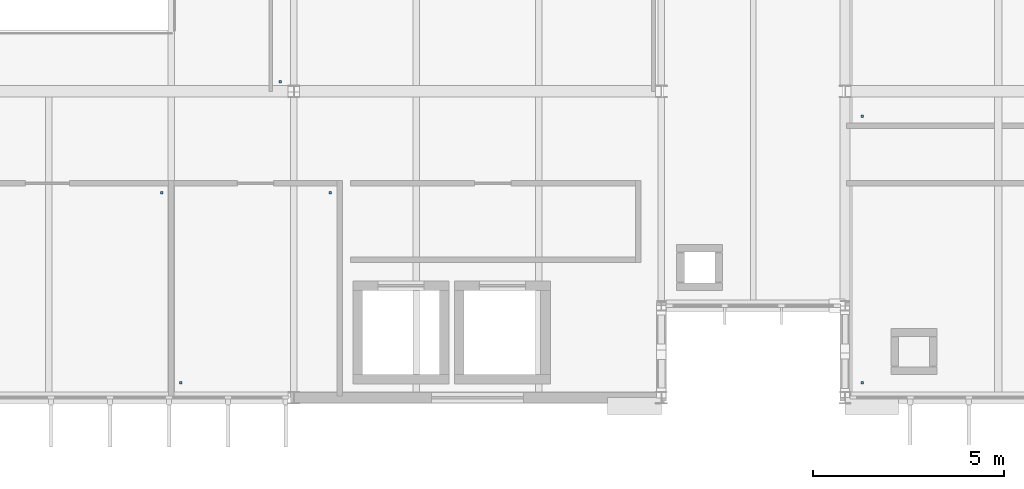
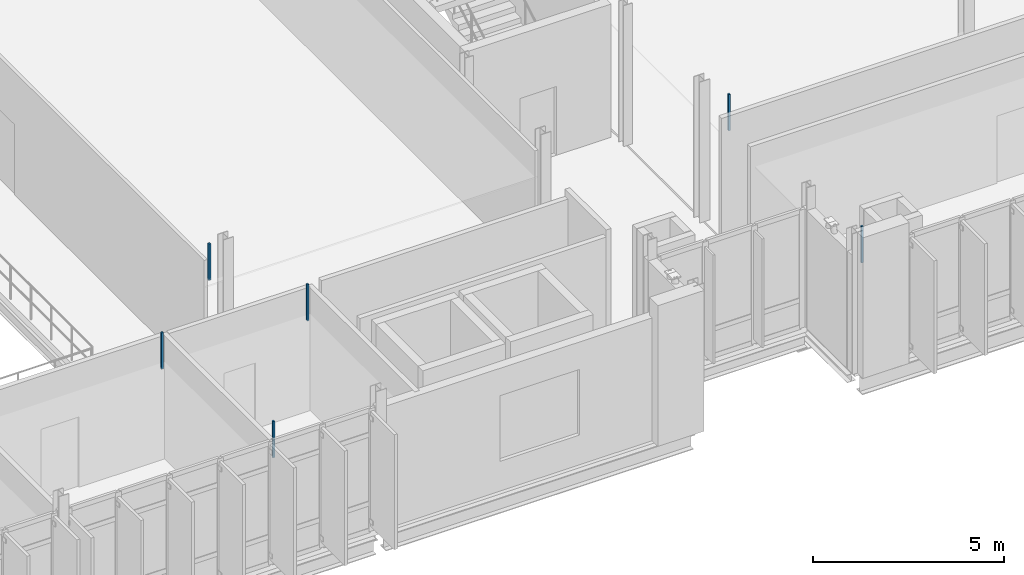
# One storey, part 79 of 110: 6 discrete accessories.
"""IFC4 building model written with IfcOpenShell, lengths in metres."""

from ifc_helpers import new_model, si_unit, direction, frame, origin, place, context, subcontext, project, spatial, polyline, outline, extrude, material, type_object, element, save


model = new_model("IFC4")

# Units and contexts
model_context = context("Model", 3, precision=1e-05, world=origin(), true_north=direction((0.0, 1.0)))
body_context = subcontext(model_context, "Body", "Model", "MODEL_VIEW")
ifc_project = project(units=[si_unit("LENGTHUNIT", "METRE"), si_unit("AREAUNIT", "SQUARE_METRE"), si_unit("VOLUMEUNIT", "CUBIC_METRE"), si_unit("PLANEANGLEUNIT", "RADIAN"), si_unit("MASSUNIT", "GRAM", prefix="KILO")], contexts=[model_context])

# Site, building, storey
site_placement = place(None, origin())
site = spatial("IfcSite", under=ifc_project, at=site_placement, CompositionType="ELEMENT")
building_placement = place(site_placement, origin())
building = spatial("IfcBuilding", under=site, at=building_placement, Name="Dunescarp Central Library", CompositionType="ELEMENT")
storey_placement = place(building_placement, frame((0.0, 0.0, 9.60009765625)))
storey = spatial("IfcBuildingStorey", under=building, at=storey_placement, Name="L02", CompositionType="ELEMENT", Elevation=9.60009765625)

# Discrete accessories
ifc_material = material(Name="Stainless steel Grade 316L", Category="steel")
discrete_accessory_type = type_object("IfcDiscreteAccessoryType", Name="ARC-ACC-BRK", PredefinedType="BRACKET", material=ifc_material)
discrete_accessory_1_placement = place(storey_placement, frame((0.0, 0.0, 3.059814453125)))
element("IfcDiscreteAccessory", 1, at=discrete_accessory_1_placement, inside=storey, type_object=discrete_accessory_type, Name="L02 ceiling hanger CLG-L02-059-H1", PredefinedType="BRACKET", context=body_context, shape_type="SweptSolid", body=[
    extrude(outline(polyline([(64.219970703125, 5.159912109375), (64.280029296875, 5.159912109375), (64.280029296875, 5.219970703125), (64.219970703125, 5.219970703125), (64.219970703125, 5.159912109375)])), origin(), (0.0, 0.0, 1.0), 1.16015625),
])
discrete_accessory_2_placement = place(storey_placement, frame((0.0, 0.0, 3.059814453125)))
element("IfcDiscreteAccessory", 2, at=discrete_accessory_2_placement, inside=storey, type_object=discrete_accessory_type, Name="L02 ceiling hanger CLG-L02-059-H2", PredefinedType="BRACKET", context=body_context, shape_type="SweptSolid", body=[
    extrude(outline(polyline([(68.1201171875, 10.1201171875), (68.179931640625, 10.1201171875), (68.179931640625, 10.179931640625), (68.1201171875, 10.179931640625), (68.1201171875, 10.1201171875)])), origin(), (0.0, 0.0, 1.0), 1.16015625),
])
discrete_accessory_3_placement = place(storey_placement, frame((0.0, 0.0, 3.059814453125)))
element("IfcDiscreteAccessory", 3, at=discrete_accessory_3_placement, inside=storey, type_object=discrete_accessory_type, Name="L02 ceiling hanger CLG-L02-062-H2", PredefinedType="BRACKET", context=body_context, shape_type="SweptSolid", body=[
    extrude(outline(polyline([(63.719970703125, 10.1201171875), (63.780029296875, 10.1201171875), (63.780029296875, 10.179931640625), (63.719970703125, 10.179931640625), (63.719970703125, 10.1201171875)])), origin(), (0.0, 0.0, 1.0), 1.16015625),
])
discrete_accessory_4_placement = place(storey_placement, frame((0.0, 0.0, 3.059814453125)))
element("IfcDiscreteAccessory", 4, at=discrete_accessory_4_placement, inside=storey, type_object=discrete_accessory_type, Name="L02 ceiling hanger CLG-L02-064-H1", PredefinedType="BRACKET", context=body_context, shape_type="SweptSolid", body=[
    extrude(outline(polyline([(66.820068359375, 13.02001953125), (66.8798828125, 13.02001953125), (66.8798828125, 13.080078125), (66.820068359375, 13.080078125), (66.820068359375, 13.02001953125)])), origin(), (0.0, 0.0, 1.0), 1.16015625),
])
discrete_accessory_5_placement = place(storey_placement, frame((0.0, 0.0, 3.059814453125)))
element("IfcDiscreteAccessory", 5, at=discrete_accessory_5_placement, inside=storey, type_object=discrete_accessory_type, Name="L02 ceiling hanger CLG-L02-100-H1", PredefinedType="BRACKET", context=body_context, shape_type="SweptSolid", body=[
    extrude(outline(polyline([(82.02001953125, 5.159912109375), (82.080078125, 5.159912109375), (82.080078125, 5.219970703125), (82.02001953125, 5.219970703125), (82.02001953125, 5.159912109375)])), origin(), (0.0, 0.0, 1.0), 1.16015625),
])
discrete_accessory_6_placement = place(storey_placement, frame((0.0, 0.0, 3.059814453125)))
element("IfcDiscreteAccessory", 6, at=discrete_accessory_6_placement, inside=storey, type_object=discrete_accessory_type, Name="L02 ceiling hanger CLG-L02-102-H1", PredefinedType="BRACKET", context=body_context, shape_type="SweptSolid", body=[
    extrude(outline(polyline([(82.02001953125, 12.1201171875), (82.080078125, 12.1201171875), (82.080078125, 12.179931640625), (82.02001953125, 12.179931640625), (82.02001953125, 12.1201171875)])), origin(), (0.0, 0.0, 1.0), 1.16015625),
])

save(model, "model.ifc")
